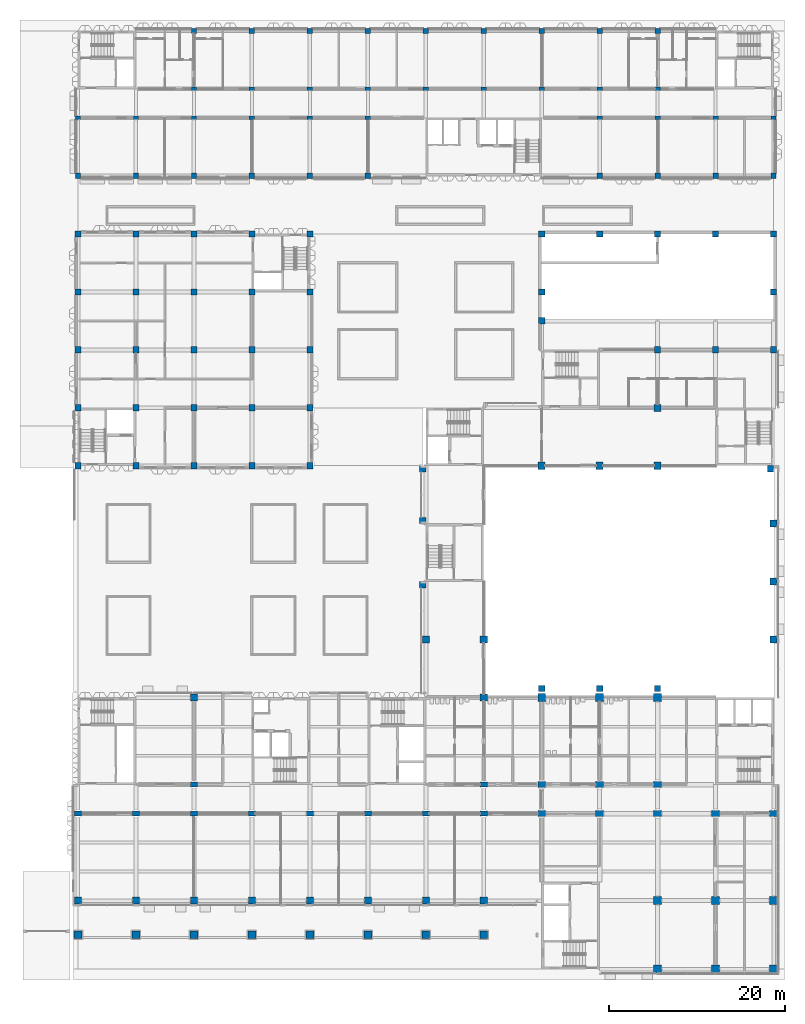
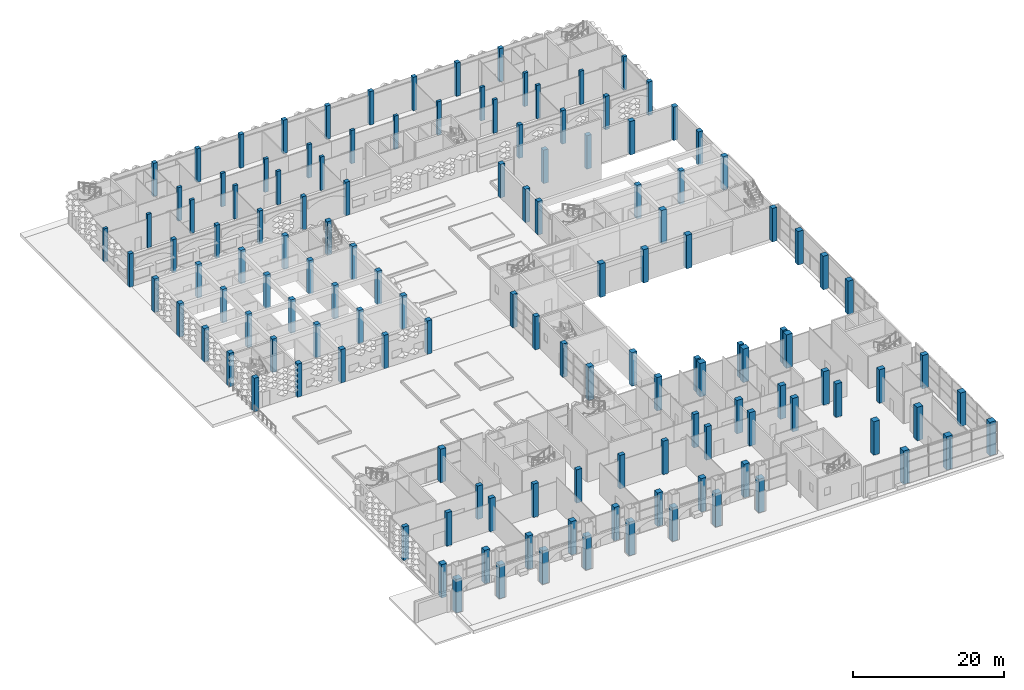
# One storey, part 1 of 85: 135 columns.
"""IFC4 building model written with IfcOpenShell, lengths in metres."""

from ifc_helpers import new_model, si_unit, direction, frame, origin, origin_2d, place, context, subcontext, project, spatial, rectangle, extrude, material, material_profile, profile_set, type_object, element, save


model = new_model("IFC4")

# Units and contexts
model_context = context("Model", 3, precision=1e-05, world=origin(), true_north=direction((0.0, 1.0)))
body_context = subcontext(model_context, "Body", "Model", "MODEL_VIEW")
ifc_project = project(units=[si_unit("LENGTHUNIT", "METRE"), si_unit("AREAUNIT", "SQUARE_METRE"), si_unit("VOLUMEUNIT", "CUBIC_METRE"), si_unit("PLANEANGLEUNIT", "RADIAN"), si_unit("MASSUNIT", "GRAM", prefix="KILO")], contexts=[model_context])

# Site, building, storey
site_placement = place(None, origin())
site = spatial("IfcSite", under=ifc_project, at=site_placement, CompositionType="ELEMENT")
building_placement = place(site_placement, origin())
building = spatial("IfcBuilding", under=site, at=building_placement, Name="Lantern Court Research Institute", CompositionType="ELEMENT")
storey_placement = place(building_placement, origin())
storey = spatial("IfcBuildingStorey", under=building, at=storey_placement, Name="L00", CompositionType="ELEMENT", Elevation=0.0)

# Columns
ifc_material_1 = material(Name="Concrete C40/50", Category="concrete")
ifc_material_profile_1 = material_profile(ifc_material_1, rectangle(XDim=0.699951171875, YDim=0.699951171875, at=origin_2d()), Name="Clean room column 700 x 700")
ifc_profile_set_1 = profile_set([ifc_material_profile_1], Name="Concrete C40/50")
column_type_1 = type_object("IfcColumnType", Name="Clean room column 700 x 700", PredefinedType="COLUMN", material=ifc_profile_set_1)
for number, where, z_axis, x_axis, name in (
    (1, (0.0, 49.5, 0.0), (0.0, 0.0, 1.0), (1.0, 0.0, 0.0), "Clean room column"),
    (2, (0.0, 56.10009765625, 0.0), (0.0, 0.0, 1.0), (1.0, 0.0, 0.0), "Clean room column"),
    (3, (0.0, 62.699951171875, 0.0), (0.0, 0.0, 1.0), (1.0, 0.0, 0.0), "Clean room column"),
    (4, (0.0, 69.300048828125, 0.0), (0.0, 0.0, 1.0), (1.0, 0.0, 0.0), "Clean room column"),
    (5, (0.0, 75.89990234375, 0.0), (0.0, 0.0, 1.0), (1.0, 0.0, 0.0), "Clean room column"),
    (6, (6.60009765625, 49.5, 0.0), (0.0, 0.0, 1.0), (1.0, 0.0, 0.0), "Clean room column"),
    (7, (6.60009765625, 56.10009765625, 0.0), (0.0, 0.0, 1.0), (1.0, 0.0, 0.0), "Clean room column"),
    (8, (6.60009765625, 62.699951171875, 0.0), (0.0, 0.0, 1.0), (1.0, 0.0, 0.0), "Clean room column"),
    (9, (6.60009765625, 69.300048828125, 0.0), (0.0, 0.0, 1.0), (1.0, 0.0, 0.0), "Clean room column"),
    (10, (6.60009765625, 75.89990234375, 0.0), (0.0, 0.0, 1.0), (1.0, 0.0, 0.0), "Clean room column"),
    (11, (13.199951171875, 49.5, 0.0), (0.0, 0.0, 1.0), (1.0, 0.0, 0.0), "Clean room column"),
    (12, (13.199951171875, 56.10009765625, 0.0), (0.0, 0.0, 1.0), (1.0, 0.0, 0.0), "Clean room column"),
    (13, (13.199951171875, 62.699951171875, 0.0), (0.0, 0.0, 1.0), (1.0, 0.0, 0.0), "Clean room column"),
    (14, (13.199951171875, 69.300048828125, 0.0), (0.0, 0.0, 1.0), (1.0, 0.0, 0.0), "Clean room column"),
    (15, (13.199951171875, 75.89990234375, 0.0), (0.0, 0.0, 1.0), (1.0, 0.0, 0.0), "Clean room column"),
    (16, (19.800048828125, 49.5, 0.0), (0.0, 0.0, 1.0), (1.0, 0.0, 0.0), "Clean room column"),
    (17, (19.800048828125, 56.10009765625, 0.0), (0.0, 0.0, 1.0), (1.0, 0.0, 0.0), "Clean room column"),
    (18, (19.800048828125, 62.699951171875, 0.0), (0.0, 0.0, 1.0), (1.0, 0.0, 0.0), "Clean room column"),
    (19, (19.800048828125, 69.300048828125, 0.0), (0.0, 0.0, 1.0), (1.0, 0.0, 0.0), "Clean room column"),
    (20, (19.800048828125, 75.89990234375, 0.0), (0.0, 0.0, 1.0), (1.0, 0.0, 0.0), "Clean room column"),
    (21, (26.39990234375, 49.5, 0.0), (0.0, 0.0, 1.0), (1.0, 0.0, 0.0), "Clean room column"),
    (22, (26.39990234375, 56.10009765625, 0.0), (0.0, 0.0, 1.0), (1.0, 0.0, 0.0), "Clean room column"),
    (23, (26.39990234375, 62.699951171875, 0.0), (0.0, 0.0, 1.0), (1.0, 0.0, 0.0), "Clean room column"),
    (24, (26.39990234375, 69.300048828125, 0.0), (0.0, 0.0, 1.0), (1.0, 0.0, 0.0), "Clean room column"),
    (25, (26.39990234375, 75.89990234375, 0.0), (0.0, 0.0, 1.0), (1.0, 0.0, 0.0), "Clean room column"),
):
    element("IfcColumn", number, at=place(storey_placement, frame(where, z_axis=z_axis, x_axis=x_axis)), inside=storey, type_object=column_type_1, Name=name, PredefinedType="COLUMN", context=body_context, shape_type="SweptSolid", body=[
        extrude(rectangle(XDim=0.699951171875, YDim=0.699951171875, at=origin_2d()), origin(), (0.0, 0.0, 1.0), 5.39990234375),
    ])
ifc_material_2 = material(Name="Concrete C40/50", Category="concrete")
ifc_material_profile_2 = material_profile(ifc_material_2, rectangle(XDim=0.699951171875, YDim=0.699951171875, at=origin_2d()), Name="Hall column 700 x 700")
ifc_profile_set_2 = profile_set([ifc_material_profile_2], Name="Concrete C40/50")
column_type_2 = type_object("IfcColumnType", Name="Hall column 700 x 700", PredefinedType="COLUMN", material=ifc_profile_set_2)
for number, where, z_axis, x_axis, name in (
    (26, (52.800048828125, 24.14990234375, 0.0), (0.0, 0.0, 1.0), (1.0, 0.0, 0.0), "Hall column"),
    (27, (59.39990234375, 24.14990234375, 0.0), (0.0, 0.0, 1.0), (1.0, 0.0, 0.0), "Hall column"),
    (28, (66.0, 24.14990234375, 0.0), (0.0, 0.0, 1.0), (1.0, 0.0, 0.0), "Hall column"),
    (29, (39.25, 35.949951171875, 0.0), (0.0, 0.0, 1.0), (1.0, 0.0, 0.0), "Hall column"),
    (30, (39.25, 43.25, 0.0), (0.0, 0.0, 1.0), (1.0, 0.0, 0.0), "Hall column"),
    (31, (39.25, 49.14990234375, 0.0), (0.0, 0.0, 1.0), (1.0, 0.0, 0.0), "Hall column"),
    (32, (78.85009765625, 49.14990234375, 0.0), (0.0, 0.0, 1.0), (1.0, 0.0, 0.0), "Hall column"),
    (33, (52.800048828125, 69.300048828125, 0.0), (0.0, 0.0, 1.0), (1.0, 0.0, 0.0), "Hall column"),
    (34, (52.800048828125, 75.89990234375, 0.0), (0.0, 0.0, 1.0), (1.0, 0.0, 0.0), "Hall column"),
    (35, (79.199951171875, 62.699951171875, 0.0), (0.0, 0.0, 1.0), (1.0, 0.0, 0.0), "Hall column"),
    (36, (79.199951171875, 69.300048828125, 0.0), (0.0, 0.0, 1.0), (1.0, 0.0, 0.0), "Hall column"),
    (37, (79.199951171875, 75.89990234375, 0.0), (0.0, 0.0, 1.0), (1.0, 0.0, 0.0), "Hall column"),
    (38, (59.39990234375, 75.89990234375, 0.0), (0.0, 0.0, 1.0), (1.0, 0.0, 0.0), "Hall column"),
    (39, (66.0, 75.89990234375, 0.0), (0.0, 0.0, 1.0), (1.0, 0.0, 0.0), "Hall column"),
    (40, (72.60009765625, 75.89990234375, 0.0), (0.0, 0.0, 1.0), (1.0, 0.0, 0.0), "Hall column"),
    (41, (66.0, 62.699951171875, 0.0), (0.0, 0.0, 1.0), (1.0, 0.0, 0.0), "Hall column"),
    (42, (72.60009765625, 62.699951171875, 0.0), (0.0, 0.0, 1.0), (1.0, 0.0, 0.0), "Hall column"),
    (43, (52.800048828125, 66.0, 0.0), (0.0, 0.0, 1.0), (1.0, 0.0, 0.0), "Hall column"),
):
    element("IfcColumn", number, at=place(storey_placement, frame(where, z_axis=z_axis, x_axis=x_axis)), inside=storey, type_object=column_type_2, Name=name, PredefinedType="COLUMN", context=body_context, shape_type="SweptSolid", body=[
        extrude(rectangle(XDim=0.699951171875, YDim=0.699951171875, at=origin_2d()), origin(), (0.0, 0.0, 1.0), 5.39990234375),
    ])
ifc_material_3 = material(Name="Concrete C40/50", Category="concrete")
ifc_material_profile_3 = material_profile(ifc_material_3, rectangle(XDim=0.800048828125, YDim=0.800048828125, at=origin_2d()), Name="Hall column 800 x 800")
ifc_profile_set_3 = profile_set([ifc_material_profile_3], Name="Concrete C40/50")
column_type_3 = type_object("IfcColumnType", Name="Hall column 800 x 800", PredefinedType="COLUMN", material=ifc_profile_set_3)
for number, where, z_axis, x_axis, name in (
    (44, (39.60009765625, 29.699951171875, 0.0), (0.0, 0.0, 1.0), (1.0, 0.0, 0.0), "Hall column"),
    (45, (79.199951171875, 29.699951171875, 0.0), (0.0, 0.0, 1.0), (1.0, 0.0, 0.0), "Hall column"),
    (46, (79.199951171875, 36.300048828125, 0.0), (0.0, 0.0, 1.0), (1.0, 0.0, 0.0), "Hall column"),
    (47, (79.199951171875, 42.89990234375, 0.0), (0.0, 0.0, 1.0), (1.0, 0.0, 0.0), "Hall column"),
    (48, (66.0, 56.10009765625, 0.0), (0.0, 0.0, 1.0), (1.0, 0.0, 0.0), "Hall column"),
    (49, (46.199951171875, 29.699951171875, 0.0), (0.0, 0.0, 1.0), (1.0, 0.0, 0.0), "Hall column"),
    (50, (52.800048828125, 49.5, 0.0), (0.0, 0.0, 1.0), (1.0, 0.0, 0.0), "Hall column"),
    (51, (59.39990234375, 49.5, 0.0), (0.0, 0.0, 1.0), (1.0, 0.0, 0.0), "Hall column"),
    (52, (66.0, 49.5, 0.0), (0.0, 0.0, 1.0), (1.0, 0.0, 0.0), "Hall column"),
):
    element("IfcColumn", number, at=place(storey_placement, frame(where, z_axis=z_axis, x_axis=x_axis)), inside=storey, type_object=column_type_3, Name=name, PredefinedType="COLUMN", context=body_context, shape_type="SweptSolid", body=[
        extrude(rectangle(XDim=0.800048828125, YDim=0.800048828125, at=origin_2d()), origin(), (0.0, 0.0, 1.0), 5.39990234375),
    ])
ifc_material_4 = material(Name="Concrete C40/50", Category="concrete")
ifc_material_profile_4 = material_profile(ifc_material_4, rectangle(XDim=0.60009765625, YDim=0.39990234375, at=origin_2d()), Name="RC column 600 x 400")
ifc_profile_set_4 = profile_set([ifc_material_profile_4], Name="Concrete C40/50")
column_type_4 = type_object("IfcColumnType", Name="RC column 600 x 400", PredefinedType="COLUMN", material=ifc_profile_set_4)
for number, where, z_axis, x_axis, name in (
    (53, (0.0, 89.10009765625, 0.0), (0.0, 0.0, 1.0), (1.0, 0.0, 0.0), "Column L00 grid 1/K"),
    (54, (6.60009765625, 89.10009765625, 0.0), (0.0, 0.0, 1.0), (1.0, 0.0, 0.0), "Column L00 grid 2/K"),
    (55, (13.199951171875, 89.10009765625, 0.0), (0.0, 0.0, 1.0), (1.0, 0.0, 0.0), "Column L00 grid 3/K"),
    (56, (13.199951171875, 92.39990234375, 0.0), (0.0, 0.0, 1.0), (1.0, 0.0, 0.0), "Column L00 grid 3/L"),
    (57, (19.800048828125, 89.10009765625, 0.0), (0.0, 0.0, 1.0), (1.0, 0.0, 0.0), "Column L00 grid 4/K"),
    (58, (19.800048828125, 92.39990234375, 0.0), (0.0, 0.0, 1.0), (1.0, 0.0, 0.0), "Column L00 grid 4/L"),
    (59, (26.39990234375, 89.10009765625, 0.0), (0.0, 0.0, 1.0), (1.0, 0.0, 0.0), "Column L00 grid 5/K"),
    (60, (26.39990234375, 92.39990234375, 0.0), (0.0, 0.0, 1.0), (1.0, 0.0, 0.0), "Column L00 grid 5/L"),
    (61, (33.0, 89.10009765625, 0.0), (0.0, 0.0, 1.0), (1.0, 0.0, 0.0), "Column L00 grid 6/K"),
    (62, (33.0, 92.39990234375, 0.0), (0.0, 0.0, 1.0), (1.0, 0.0, 0.0), "Column L00 grid 6/L"),
    (63, (39.60009765625, 92.39990234375, 0.0), (0.0, 0.0, 1.0), (1.0, 0.0, 0.0), "Column L00 grid 7/L"),
    (64, (46.199951171875, 92.39990234375, 0.0), (0.0, 0.0, 1.0), (1.0, 0.0, 0.0), "Column L00 grid 8/L"),
    (65, (52.800048828125, 92.39990234375, 0.0), (0.0, 0.0, 1.0), (1.0, 0.0, 0.0), "Column L00 grid 9/L"),
    (66, (59.39990234375, 89.10009765625, 0.0), (0.0, 0.0, 1.0), (1.0, 0.0, 0.0), "Column L00 grid 10/K"),
    (67, (59.39990234375, 92.39990234375, 0.0), (0.0, 0.0, 1.0), (1.0, 0.0, 0.0), "Column L00 grid 10/L"),
    (68, (66.0, 89.10009765625, 0.0), (0.0, 0.0, 1.0), (1.0, 0.0, 0.0), "Column L00 grid 11/K"),
    (69, (66.0, 92.39990234375, 0.0), (0.0, 0.0, 1.0), (1.0, 0.0, 0.0), "Column L00 grid 11/L"),
    (70, (72.60009765625, 89.10009765625, 0.0), (0.0, 0.0, 1.0), (1.0, 0.0, 0.0), "Column L00 grid 12/K"),
    (71, (79.199951171875, 89.10009765625, 0.0), (0.0, 0.0, 1.0), (1.0, 0.0, 0.0), "Column L00 grid 13/K"),
):
    element("IfcColumn", number, at=place(storey_placement, frame(where, z_axis=z_axis, x_axis=x_axis)), inside=storey, type_object=column_type_4, Name=name, PredefinedType="COLUMN", context=body_context, shape_type="SweptSolid", body=[
        extrude(rectangle(XDim=0.60009765625, YDim=0.39990234375, at=origin_2d()), origin(), (0.0, 0.0, 1.0), 5.39990234375),
    ])
ifc_material_5 = material(Name="Concrete C40/50", Category="concrete")
ifc_material_profile_5 = material_profile(ifc_material_5, rectangle(XDim=0.60009765625, YDim=0.60009765625, at=origin_2d()), Name="RC column 600 x 600")
ifc_profile_set_5 = profile_set([ifc_material_profile_5], Name="Concrete C40/50")
column_type_5 = type_object("IfcColumnType", Name="RC column 600 x 600", PredefinedType="COLUMN", material=ifc_profile_set_5)
for number, where, z_axis, x_axis, name in (
    (72, (0.0, 82.5, 0.0), (0.0, 0.0, 1.0), (1.0, 0.0, 0.0), "Column L00 grid 1/J"),
    (73, (6.60009765625, 82.5, 0.0), (0.0, 0.0, 1.0), (1.0, 0.0, 0.0), "Column L00 grid 2/J"),
    (74, (13.199951171875, 82.5, 0.0), (0.0, 0.0, 1.0), (1.0, 0.0, 0.0), "Column L00 grid 3/J"),
    (75, (13.199951171875, 99.0, 0.0), (0.0, 0.0, 1.0), (1.0, 0.0, 0.0), "Column L00 grid 3/M"),
    (76, (19.800048828125, 82.5, 0.0), (0.0, 0.0, 1.0), (1.0, 0.0, 0.0), "Column L00 grid 4/J"),
    (77, (19.800048828125, 99.0, 0.0), (0.0, 0.0, 1.0), (1.0, 0.0, 0.0), "Column L00 grid 4/M"),
    (78, (26.39990234375, 82.5, 0.0), (0.0, 0.0, 1.0), (1.0, 0.0, 0.0), "Column L00 grid 5/J"),
    (79, (26.39990234375, 99.0, 0.0), (0.0, 0.0, 1.0), (1.0, 0.0, 0.0), "Column L00 grid 5/M"),
    (80, (33.0, 82.5, 0.0), (0.0, 0.0, 1.0), (1.0, 0.0, 0.0), "Column L00 grid 6/J"),
    (81, (33.0, 99.0, 0.0), (0.0, 0.0, 1.0), (1.0, 0.0, 0.0), "Column L00 grid 6/M"),
    (82, (39.60009765625, 99.0, 0.0), (0.0, 0.0, 1.0), (1.0, 0.0, 0.0), "Column L00 grid 7/M"),
    (83, (46.199951171875, 99.0, 0.0), (0.0, 0.0, 1.0), (1.0, 0.0, 0.0), "Column L00 grid 8/M"),
    (84, (52.800048828125, 99.0, 0.0), (0.0, 0.0, 1.0), (1.0, 0.0, 0.0), "Column L00 grid 9/M"),
    (85, (59.39990234375, 82.5, 0.0), (0.0, 0.0, 1.0), (1.0, 0.0, 0.0), "Column L00 grid 10/J"),
    (86, (59.39990234375, 99.0, 0.0), (0.0, 0.0, 1.0), (1.0, 0.0, 0.0), "Column L00 grid 10/M"),
    (87, (66.0, 82.5, 0.0), (0.0, 0.0, 1.0), (1.0, 0.0, 0.0), "Column L00 grid 11/J"),
    (88, (66.0, 99.0, 0.0), (0.0, 0.0, 1.0), (1.0, 0.0, 0.0), "Column L00 grid 11/M"),
    (89, (72.60009765625, 82.5, 0.0), (0.0, 0.0, 1.0), (1.0, 0.0, 0.0), "Column L00 grid 12/J"),
    (90, (79.199951171875, 82.5, 0.0), (0.0, 0.0, 1.0), (1.0, 0.0, 0.0), "Column L00 grid 13/J"),
):
    element("IfcColumn", number, at=place(storey_placement, frame(where, z_axis=z_axis, x_axis=x_axis)), inside=storey, type_object=column_type_5, Name=name, PredefinedType="COLUMN", context=body_context, shape_type="SweptSolid", body=[
        extrude(rectangle(XDim=0.60009765625, YDim=0.60009765625, at=origin_2d()), origin(), (0.0, 0.0, 1.0), 5.39990234375),
    ])
ifc_material_6 = material(Name="Concrete C40/50", Category="concrete")
ifc_material_profile_6 = material_profile(ifc_material_6, rectangle(XDim=0.800048828125, YDim=0.60009765625, at=origin_2d()), Name="RC column 800 x 600")
ifc_profile_set_6 = profile_set([ifc_material_profile_6], Name="Concrete C40/50")
column_type_6 = type_object("IfcColumnType", Name="RC column 800 x 600", PredefinedType="COLUMN", material=ifc_profile_set_6)
for number, where, z_axis, x_axis, name in (
    (91, (0.0, 9.89990234375, 0.0), (0.0, 0.0, 1.0), (1.0, 0.0, 0.0), "Column L00 grid 1/B"),
    (92, (6.60009765625, 9.89990234375, 0.0), (0.0, 0.0, 1.0), (1.0, 0.0, 0.0), "Column L00 grid 2/B"),
    (93, (13.199951171875, 9.89990234375, 0.0), (0.0, 0.0, 1.0), (1.0, 0.0, 0.0), "Column L00 grid 3/B"),
    (94, (13.199951171875, 13.199951171875, 0.0), (0.0, 0.0, 1.0), (1.0, 0.0, 0.0), "Column L00 grid 3/C"),
    (95, (19.800048828125, 9.89990234375, 0.0), (0.0, 0.0, 1.0), (1.0, 0.0, 0.0), "Column L00 grid 4/B"),
    (96, (26.39990234375, 9.89990234375, 0.0), (0.0, 0.0, 1.0), (1.0, 0.0, 0.0), "Column L00 grid 5/B"),
    (97, (33.0, 9.89990234375, 0.0), (0.0, 0.0, 1.0), (1.0, 0.0, 0.0), "Column L00 grid 6/B"),
    (98, (39.60009765625, 9.89990234375, 0.0), (0.0, 0.0, 1.0), (1.0, 0.0, 0.0), "Column L00 grid 7/B"),
    (99, (46.199951171875, 9.89990234375, 0.0), (0.0, 0.0, 1.0), (1.0, 0.0, 0.0), "Column L00 grid 8/B"),
    (100, (46.199951171875, 13.199951171875, 0.0), (0.0, 0.0, 1.0), (1.0, 0.0, 0.0), "Column L00 grid 8/C"),
):
    element("IfcColumn", number, at=place(storey_placement, frame(where, z_axis=z_axis, x_axis=x_axis)), inside=storey, type_object=column_type_6, Name=name, PredefinedType="COLUMN", context=body_context, shape_type="SweptSolid", body=[
        extrude(rectangle(XDim=0.800048828125, YDim=0.60009765625, at=origin_2d()), origin(), (0.0, 0.0, 1.0), 5.39990234375),
    ])
ifc_material_7 = material(Name="Concrete C40/50", Category="concrete")
ifc_material_profile_7 = material_profile(ifc_material_7, rectangle(XDim=0.800048828125, YDim=0.800048828125, at=origin_2d()), Name="RC column 800 x 800")
ifc_profile_set_7 = profile_set([ifc_material_profile_7], Name="Concrete C40/50")
column_type_7 = type_object("IfcColumnType", Name="RC column 800 x 800", PredefinedType="COLUMN", material=ifc_profile_set_7)
for number, where, z_axis, x_axis, name in (
    (101, (0.0, 0.0, 0.0), (0.0, 0.0, 1.0), (1.0, 0.0, 0.0), "Column L00 grid 1/A"),
    (102, (6.60009765625, 0.0, 0.0), (0.0, 0.0, 1.0), (1.0, 0.0, 0.0), "Column L00 grid 2/A"),
    (103, (13.199951171875, 0.0, 0.0), (0.0, 0.0, 1.0), (1.0, 0.0, 0.0), "Column L00 grid 3/A"),
    (104, (13.199951171875, 23.10009765625, 0.0), (0.0, 0.0, 1.0), (1.0, 0.0, 0.0), "Column L00 grid 3/D"),
    (105, (19.800048828125, 0.0, 0.0), (0.0, 0.0, 1.0), (1.0, 0.0, 0.0), "Column L00 grid 4/A"),
    (106, (26.39990234375, 0.0, 0.0), (0.0, 0.0, 1.0), (1.0, 0.0, 0.0), "Column L00 grid 5/A"),
    (107, (33.0, 0.0, 0.0), (0.0, 0.0, 1.0), (1.0, 0.0, 0.0), "Column L00 grid 6/A"),
    (108, (39.60009765625, 0.0, 0.0), (0.0, 0.0, 1.0), (1.0, 0.0, 0.0), "Column L00 grid 7/A"),
    (109, (46.199951171875, 0.0, 0.0), (0.0, 0.0, 1.0), (1.0, 0.0, 0.0), "Column L00 grid 8/A"),
    (110, (46.199951171875, 23.10009765625, 0.0), (0.0, 0.0, 1.0), (1.0, 0.0, 0.0), "Column L00 grid 8/D"),
):
    element("IfcColumn", number, at=place(storey_placement, frame(where, z_axis=z_axis, x_axis=x_axis)), inside=storey, type_object=column_type_7, Name=name, PredefinedType="COLUMN", context=body_context, shape_type="SweptSolid", body=[
        extrude(rectangle(XDim=0.800048828125, YDim=0.800048828125, at=origin_2d()), origin(), (0.0, 0.0, 1.0), 5.39990234375),
    ])
ifc_material_8 = material(Name="Concrete C40/50", Category="concrete")
ifc_material_profile_8 = material_profile(ifc_material_8, rectangle(XDim=0.89990234375, YDim=0.699951171875, at=origin_2d()), Name="RC column 900 x 700")
ifc_profile_set_8 = profile_set([ifc_material_profile_8], Name="Concrete C40/50")
column_type_8 = type_object("IfcColumnType", Name="RC column 900 x 700", PredefinedType="COLUMN", material=ifc_profile_set_8)
for number, where, z_axis, x_axis, name in (
    (111, (52.800048828125, 9.89990234375, 0.0), (0.0, 0.0, 1.0), (1.0, 0.0, 0.0), "Column L00 grid 9/B"),
    (112, (52.800048828125, 13.199951171875, 0.0), (0.0, 0.0, 1.0), (1.0, 0.0, 0.0), "Column L00 grid 9/C"),
    (113, (59.39990234375, 9.89990234375, 0.0), (0.0, 0.0, 1.0), (1.0, 0.0, 0.0), "Column L00 grid 10/B"),
    (114, (59.39990234375, 13.199951171875, 0.0), (0.0, 0.0, 1.0), (1.0, 0.0, 0.0), "Column L00 grid 10/C"),
    (115, (66.0, 9.89990234375, 0.0), (0.0, 0.0, 1.0), (1.0, 0.0, 0.0), "Column L00 grid 11/B"),
    (116, (66.0, 13.199951171875, 0.0), (0.0, 0.0, 1.0), (1.0, 0.0, 0.0), "Column L00 grid 11/C"),
    (117, (72.60009765625, 9.89990234375, 0.0), (0.0, 0.0, 1.0), (1.0, 0.0, 0.0), "Column L00 grid 12/B"),
    (118, (79.199951171875, 9.89990234375, 0.0), (0.0, 0.0, 1.0), (1.0, 0.0, 0.0), "Column L00 grid 13/B"),
):
    element("IfcColumn", number, at=place(storey_placement, frame(where, z_axis=z_axis, x_axis=x_axis)), inside=storey, type_object=column_type_8, Name=name, PredefinedType="COLUMN", context=body_context, shape_type="SweptSolid", body=[
        extrude(rectangle(XDim=0.89990234375, YDim=0.699951171875, at=origin_2d()), origin(), (0.0, 0.0, 1.0), 5.39990234375),
    ])
ifc_material_9 = material(Name="Concrete C40/50", Category="concrete")
ifc_material_profile_9 = material_profile(ifc_material_9, rectangle(XDim=0.89990234375, YDim=0.89990234375, at=origin_2d()), Name="RC column 900 x 900")
ifc_profile_set_9 = profile_set([ifc_material_profile_9], Name="Concrete C40/50")
column_type_9 = type_object("IfcColumnType", Name="RC column 900 x 900", PredefinedType="COLUMN", material=ifc_profile_set_9)
for number, where, z_axis, x_axis, name in (
    (119, (52.800048828125, 23.10009765625, 0.0), (0.0, 0.0, 1.0), (1.0, 0.0, 0.0), "Column L00 grid 9/D"),
    (120, (59.39990234375, 23.10009765625, 0.0), (0.0, 0.0, 1.0), (1.0, 0.0, 0.0), "Column L00 grid 10/D"),
    (121, (66.0, -7.800048828125, 0.0), (0.0, 0.0, 1.0), (1.0, 0.0, 0.0), "Column L00 grid 11/Z"),
    (122, (66.0, 0.0, 0.0), (0.0, 0.0, 1.0), (1.0, 0.0, 0.0), "Column L00 grid 11/A"),
    (123, (66.0, 23.10009765625, 0.0), (0.0, 0.0, 1.0), (1.0, 0.0, 0.0), "Column L00 grid 11/D"),
    (124, (72.60009765625, -7.800048828125, 0.0), (0.0, 0.0, 1.0), (1.0, 0.0, 0.0), "Column L00 grid 12/Z"),
    (125, (72.60009765625, 0.0, 0.0), (0.0, 0.0, 1.0), (1.0, 0.0, 0.0), "Column L00 grid 12/A"),
    (126, (79.199951171875, -7.800048828125, 0.0), (0.0, 0.0, 1.0), (1.0, 0.0, 0.0), "Column L00 grid 13/Z"),
    (127, (79.199951171875, 0.0, 0.0), (0.0, 0.0, 1.0), (1.0, 0.0, 0.0), "Column L00 grid 13/A"),
):
    element("IfcColumn", number, at=place(storey_placement, frame(where, z_axis=z_axis, x_axis=x_axis)), inside=storey, type_object=column_type_9, Name=name, PredefinedType="COLUMN", context=body_context, shape_type="SweptSolid", body=[
        extrude(rectangle(XDim=0.89990234375, YDim=0.89990234375, at=origin_2d()), origin(), (0.0, 0.0, 1.0), 5.39990234375),
    ])
ifc_material_10 = material(Name="Concrete C40/50", Category="concrete")
ifc_material_profile_10 = material_profile(ifc_material_10, rectangle(XDim=0.89990234375, YDim=0.89990234375, at=origin_2d()), Name="RC column 900 x 900")
ifc_profile_set_10 = profile_set([ifc_material_profile_10], Name="Concrete C40/50")
column_type_10 = type_object("IfcColumnType", Name="RC pier 900 x 900", PredefinedType="COLUMN", material=ifc_profile_set_10)
for number, where, z_axis, x_axis, name in (
    (128, (0.0, -3.89990234375, 0.0), (0.0, 0.0, 1.0), (1.0, 0.0, 0.0), "Street pier L00 grid 1/Y"),
    (129, (6.60009765625, -3.89990234375, 0.0), (0.0, 0.0, 1.0), (1.0, 0.0, 0.0), "Street pier L00 grid 2/Y"),
    (130, (13.199951171875, -3.89990234375, 0.0), (0.0, 0.0, 1.0), (1.0, 0.0, 0.0), "Street pier L00 grid 3/Y"),
    (131, (19.800048828125, -3.89990234375, 0.0), (0.0, 0.0, 1.0), (1.0, 0.0, 0.0), "Street pier L00 grid 4/Y"),
    (132, (26.39990234375, -3.89990234375, 0.0), (0.0, 0.0, 1.0), (1.0, 0.0, 0.0), "Street pier L00 grid 5/Y"),
    (133, (33.0, -3.89990234375, 0.0), (0.0, 0.0, 1.0), (1.0, 0.0, 0.0), "Street pier L00 grid 6/Y"),
    (134, (39.60009765625, -3.89990234375, 0.0), (0.0, 0.0, 1.0), (1.0, 0.0, 0.0), "Street pier L00 grid 7/Y"),
    (135, (46.199951171875, -3.89990234375, 0.0), (0.0, 0.0, 1.0), (1.0, 0.0, 0.0), "Street pier L00 grid 8/Y"),
):
    element("IfcColumn", number, at=place(storey_placement, frame(where, z_axis=z_axis, x_axis=x_axis)), inside=storey, type_object=column_type_10, Name=name, PredefinedType="COLUMN", context=body_context, shape_type="SweptSolid", body=[
        extrude(rectangle(XDim=0.89990234375, YDim=0.89990234375, at=origin_2d()), origin(), (0.0, 0.0, 1.0), 5.39990234375),
    ])

save(model, "model.ifc")
